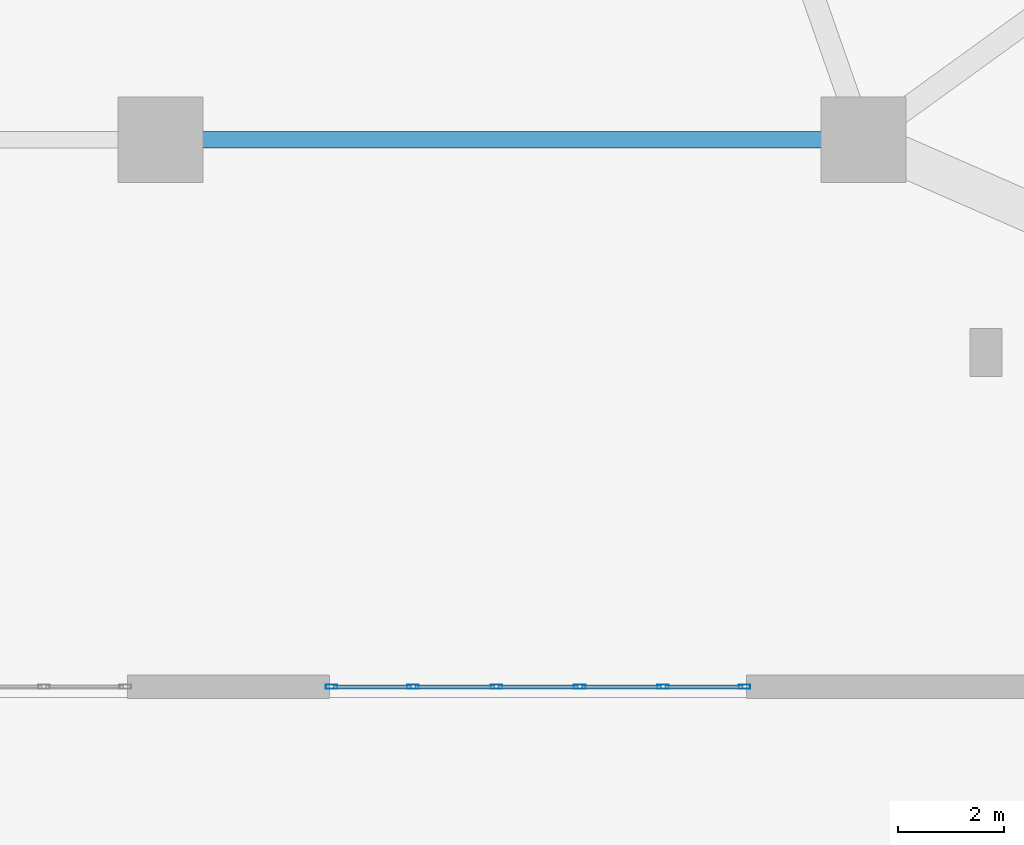
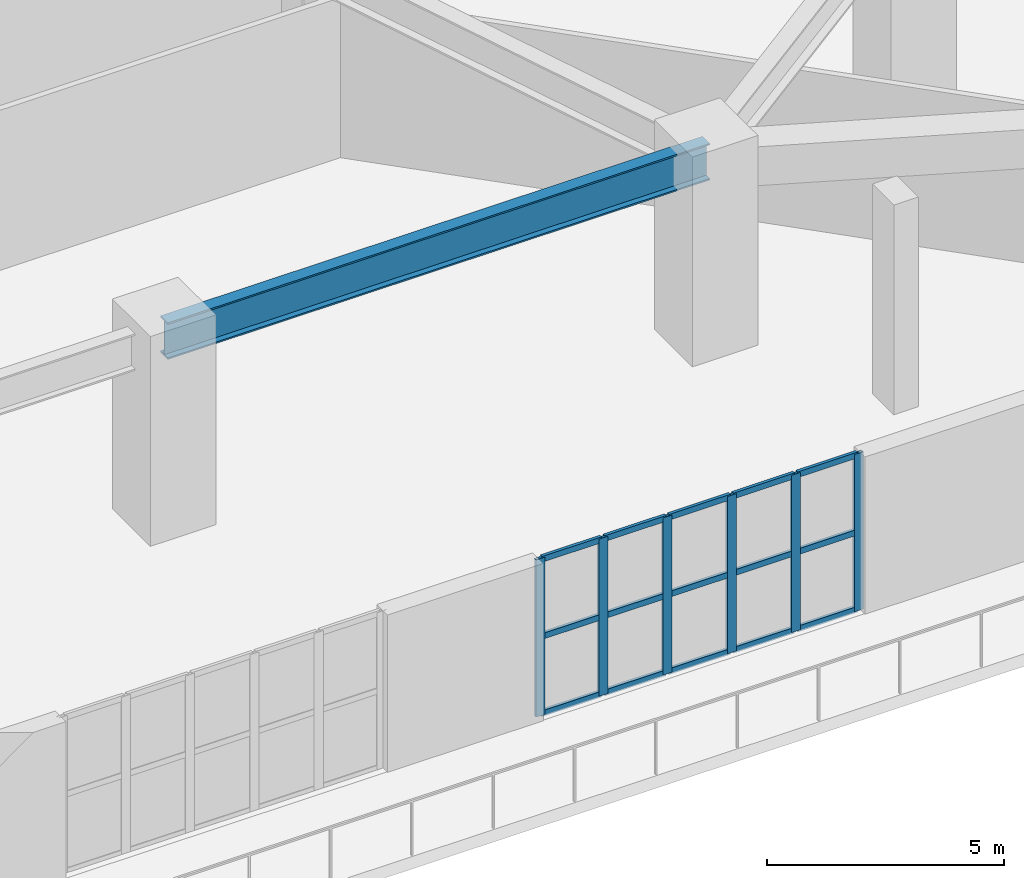
# One storey, part 7 of 34: 21 members, 1 beam, 1 element without a shape of its own.
"""IFC4 building model written with IfcOpenShell, lengths in metres."""

from ifc_helpers import new_model, si_unit, direction, frame, origin, origin_2d, place, context, subcontext, project, spatial, hollow_rectangle, i_section, extrude, material, layer, layer_set, material_profile, profile_set, type_object, element, aggregate, save


model = new_model("IFC4")

# Units and contexts
model_context = context("Model", 3, precision=1e-05, world=origin(), true_north=direction((0.0, 1.0)))
body_context = subcontext(model_context, "Body", "Model", "MODEL_VIEW")
ifc_project = project(units=[si_unit("LENGTHUNIT", "METRE"), si_unit("AREAUNIT", "SQUARE_METRE"), si_unit("VOLUMEUNIT", "CUBIC_METRE"), si_unit("PLANEANGLEUNIT", "RADIAN"), si_unit("MASSUNIT", "GRAM", prefix="KILO")], contexts=[model_context])

# Site, building, storey
site_placement = place(None, origin())
site = spatial("IfcSite", under=ifc_project, at=site_placement, CompositionType="ELEMENT")
building_placement = place(site_placement, origin())
building = spatial("IfcBuilding", under=site, at=building_placement, Name="Kilnhurst Terrace Hotel", CompositionType="ELEMENT")
storey_placement = place(building_placement, frame((0.0, 0.0, 6.0)))
storey = spatial("IfcBuildingStorey", under=building, at=storey_placement, Name="L01", CompositionType="ELEMENT", Elevation=6.0)

# Beam
ifc_material_1 = material(Name="Steel ASTM A992 Grade 50", Category="steel")
ifc_material_profile_1 = material_profile(ifc_material_1, i_section(OverallWidth=0.307861328125, OverallDepth=0.94287109375, WebThickness=0.022216796875, FlangeThickness=0.039794921875, at=origin_2d()), Name="W36X232")
ifc_profile_set_1 = profile_set([ifc_material_profile_1], Name="Steel ASTM A992 Grade 50")
beam_type = type_object("IfcBeamType", Name="BM-STL-W36X232", PredefinedType="BEAM", material=ifc_profile_set_1)
beam_placement = place(storey_placement, frame((0.0, -19.5, 4.610107421875), z_axis=(1.0, 0.0, 0.0), x_axis=(0.0, 1.0, 0.0)))
element("IfcBeam", 1, at=beam_placement, inside=storey, type_object=beam_type, Name="L01 Sub-Ballroom Girder 2", PredefinedType="BEAM", context=body_context, shape_type="SweptSolid", body=[
    extrude(i_section(OverallWidth=0.307861328125, OverallDepth=0.94287109375, WebThickness=0.022216796875, FlangeThickness=0.039794921875, at=origin_2d()), origin(), (0.0, 0.0, 1.0), 13.199951171875),
])

# Curtain wall, members
ifc_material_2 = material(Name="Anodized Aluminium Alloy 6063-T6 and Low-E Glass", Category="aluminium")
ifc_layer = layer(ifc_material_2, 0.219970703125, Name="Anodized Aluminium Alloy 6063-T6 and Low-E Glass")
ifc_layer_set = layer_set([ifc_layer], Name="Anodized Aluminium Alloy 6063-T6 and Low-E Glass")
curtain_wall_type = type_object("IfcCurtainWallType", Name="CW-POD-LOBBY", PredefinedType="NOTDEFINED", material=ifc_layer_set)
curtain_wall_placement = place(storey_placement, origin())
curtain_wall = element("IfcCurtainWall", 2, at=curtain_wall_placement, inside=storey, type_object=curtain_wall_type, Name="L01 Curtain Wall CW-L01-F1-2", PredefinedType="NOTDEFINED")
ifc_material_3 = material(Name="Extruded Aluminium Alloy 6063-T6", Category="aluminium")
ifc_material_profile_2 = material_profile(ifc_material_3, hollow_rectangle(XDim=0.074951171875, YDim=0.219970703125, WallThickness=0.00390625, at=origin_2d()), Name="CWM75X220")
ifc_profile_set_2 = profile_set([ifc_material_profile_2], Name="Extruded Aluminium Alloy 6063-T6")
member_type_1 = type_object("IfcMemberType", Name="MEM-CWM75X220", PredefinedType="MULLION", material=ifc_profile_set_2)
member_1_placement = place(storey_placement, frame((3.212646484375, -29.77490234375, 0.0), z_axis=(0.0, 0.0, 1.0), x_axis=(0.0, 1.0, 0.0)))
member_1 = element("IfcMember", 3, at=member_1_placement, type_object=member_type_1, Name="CWL-1 mullion 1", PredefinedType="MULLION", context=body_context, shape_type="SweptSolid", body=[
    extrude(hollow_rectangle(XDim=0.074951171875, YDim=0.219970703125, WallThickness=0.00390625, at=origin_2d()), origin(), (0.0, 0.0, 1.0), 4.050048828125),
])
member_2_placement = place(storey_placement, frame((4.740966796875, -29.77490234375, 0.0), z_axis=(0.0, 0.0, 1.0), x_axis=(0.0, 1.0, 0.0)))
member_2 = element("IfcMember", 4, at=member_2_placement, type_object=member_type_1, Name="CWL-1 mullion 2", PredefinedType="MULLION", context=body_context, shape_type="SweptSolid", body=[
    extrude(hollow_rectangle(XDim=0.074951171875, YDim=0.219970703125, WallThickness=0.00390625, at=origin_2d()), origin(), (0.0, 0.0, 1.0), 4.050048828125),
])
member_3_placement = place(storey_placement, frame((6.306640625, -29.77490234375, 0.0), z_axis=(0.0, 0.0, 1.0), x_axis=(0.0, 1.0, 0.0)))
member_3 = element("IfcMember", 5, at=member_3_placement, type_object=member_type_1, Name="CWL-1 mullion 3", PredefinedType="MULLION", context=body_context, shape_type="SweptSolid", body=[
    extrude(hollow_rectangle(XDim=0.074951171875, YDim=0.219970703125, WallThickness=0.00390625, at=origin_2d()), origin(), (0.0, 0.0, 1.0), 4.050048828125),
])
member_4_placement = place(storey_placement, frame((7.87255859375, -29.77490234375, 0.0), z_axis=(0.0, 0.0, 1.0), x_axis=(0.0, 1.0, 0.0)))
member_4 = element("IfcMember", 6, at=member_4_placement, type_object=member_type_1, Name="CWL-1 mullion 4", PredefinedType="MULLION", context=body_context, shape_type="SweptSolid", body=[
    extrude(hollow_rectangle(XDim=0.074951171875, YDim=0.219970703125, WallThickness=0.00390625, at=origin_2d()), origin(), (0.0, 0.0, 1.0), 4.050048828125),
])
member_5_placement = place(storey_placement, frame((9.438232421875, -29.77490234375, 0.0), z_axis=(0.0, 0.0, 1.0), x_axis=(0.0, 1.0, 0.0)))
member_5 = element("IfcMember", 7, at=member_5_placement, type_object=member_type_1, Name="CWL-1 mullion 5", PredefinedType="MULLION", context=body_context, shape_type="SweptSolid", body=[
    extrude(hollow_rectangle(XDim=0.074951171875, YDim=0.219970703125, WallThickness=0.00390625, at=origin_2d()), origin(), (0.0, 0.0, 1.0), 4.050048828125),
])
member_6_placement = place(storey_placement, frame((10.966552734375, -29.77490234375, 0.0), z_axis=(0.0, 0.0, 1.0), x_axis=(0.0, 1.0, 0.0)))
member_6 = element("IfcMember", 8, at=member_6_placement, type_object=member_type_1, Name="CWL-1 mullion 6", PredefinedType="MULLION", context=body_context, shape_type="SweptSolid", body=[
    extrude(hollow_rectangle(XDim=0.074951171875, YDim=0.219970703125, WallThickness=0.00390625, at=origin_2d()), origin(), (0.0, 0.0, 1.0), 4.050048828125),
])
ifc_material_profile_3 = material_profile(ifc_material_3, hollow_rectangle(XDim=0.074951171875, YDim=0.14990234375, WallThickness=0.00390625, at=origin_2d()), Name="CWT75X150")
ifc_profile_set_3 = profile_set([ifc_material_profile_3], Name="Extruded Aluminium Alloy 6063-T6")
member_type_2 = type_object("IfcMemberType", Name="MEM-CWT75X150", PredefinedType="USERDEFINED", material=ifc_profile_set_3)
member_7_placement = place(storey_placement, frame((3.25, -29.77490234375, 0.03759765625), z_axis=(1.0, 0.0, 0.0), x_axis=(0.0, 1.0, 0.0)))
member_7 = element("IfcMember", 9, at=member_7_placement, type_object=member_type_2, Name="CWL-1 transom 1.1", ObjectType="TRANSOM", PredefinedType="USERDEFINED", context=body_context, shape_type="SweptSolid", body=[
    extrude(hollow_rectangle(XDim=0.074951171875, YDim=0.14990234375, WallThickness=0.00390625, at=origin_2d()), origin(), (0.0, 0.0, 1.0), 1.453369140625),
])
member_8_placement = place(storey_placement, frame((3.25, -29.77490234375, 2.02490234375), z_axis=(1.0, 0.0, 0.0), x_axis=(0.0, 1.0, 0.0)))
member_8 = element("IfcMember", 10, at=member_8_placement, type_object=member_type_2, Name="CWL-1 transom 1.2", ObjectType="TRANSOM", PredefinedType="USERDEFINED", context=body_context, shape_type="SweptSolid", body=[
    extrude(hollow_rectangle(XDim=0.074951171875, YDim=0.14990234375, WallThickness=0.00390625, at=origin_2d()), origin(), (0.0, 0.0, 1.0), 1.453369140625),
])
member_9_placement = place(storey_placement, frame((3.25, -29.77490234375, 4.012451171875), z_axis=(1.0, 0.0, 0.0), x_axis=(0.0, 1.0, 0.0)))
member_9 = element("IfcMember", 11, at=member_9_placement, type_object=member_type_2, Name="CWL-1 transom 1.3", ObjectType="TRANSOM", PredefinedType="USERDEFINED", context=body_context, shape_type="SweptSolid", body=[
    extrude(hollow_rectangle(XDim=0.074951171875, YDim=0.14990234375, WallThickness=0.00390625, at=origin_2d()), origin(), (0.0, 0.0, 1.0), 1.453369140625),
])
member_10_placement = place(storey_placement, frame((4.7783203125, -29.77490234375, 0.03759765625), z_axis=(1.0, 0.0, 0.0), x_axis=(0.0, 1.0, 0.0)))
member_10 = element("IfcMember", 12, at=member_10_placement, type_object=member_type_2, Name="CWL-1 transom 2.1", ObjectType="TRANSOM", PredefinedType="USERDEFINED", context=body_context, shape_type="SweptSolid", body=[
    extrude(hollow_rectangle(XDim=0.074951171875, YDim=0.14990234375, WallThickness=0.00390625, at=origin_2d()), origin(), (0.0, 0.0, 1.0), 1.490966796875),
])
member_11_placement = place(storey_placement, frame((4.7783203125, -29.77490234375, 2.02490234375), z_axis=(1.0, 0.0, 0.0), x_axis=(0.0, 1.0, 0.0)))
member_11 = element("IfcMember", 13, at=member_11_placement, type_object=member_type_2, Name="CWL-1 transom 2.2", ObjectType="TRANSOM", PredefinedType="USERDEFINED", context=body_context, shape_type="SweptSolid", body=[
    extrude(hollow_rectangle(XDim=0.074951171875, YDim=0.14990234375, WallThickness=0.00390625, at=origin_2d()), origin(), (0.0, 0.0, 1.0), 1.490966796875),
])
member_12_placement = place(storey_placement, frame((4.7783203125, -29.77490234375, 4.012451171875), z_axis=(1.0, 0.0, 0.0), x_axis=(0.0, 1.0, 0.0)))
member_12 = element("IfcMember", 14, at=member_12_placement, type_object=member_type_2, Name="CWL-1 transom 2.3", ObjectType="TRANSOM", PredefinedType="USERDEFINED", context=body_context, shape_type="SweptSolid", body=[
    extrude(hollow_rectangle(XDim=0.074951171875, YDim=0.14990234375, WallThickness=0.00390625, at=origin_2d()), origin(), (0.0, 0.0, 1.0), 1.490966796875),
])
member_13_placement = place(storey_placement, frame((6.34423828125, -29.77490234375, 0.03759765625), z_axis=(1.0, 0.0, 0.0), x_axis=(0.0, 1.0, 0.0)))
member_13 = element("IfcMember", 15, at=member_13_placement, type_object=member_type_2, Name="CWL-1 transom 3.1", ObjectType="TRANSOM", PredefinedType="USERDEFINED", context=body_context, shape_type="SweptSolid", body=[
    extrude(hollow_rectangle(XDim=0.074951171875, YDim=0.14990234375, WallThickness=0.00390625, at=origin_2d()), origin(), (0.0, 0.0, 1.0), 1.49072265625),
])
member_14_placement = place(storey_placement, frame((6.34423828125, -29.77490234375, 2.02490234375), z_axis=(1.0, 0.0, 0.0), x_axis=(0.0, 1.0, 0.0)))
member_14 = element("IfcMember", 16, at=member_14_placement, type_object=member_type_2, Name="CWL-1 transom 3.2", ObjectType="TRANSOM", PredefinedType="USERDEFINED", context=body_context, shape_type="SweptSolid", body=[
    extrude(hollow_rectangle(XDim=0.074951171875, YDim=0.14990234375, WallThickness=0.00390625, at=origin_2d()), origin(), (0.0, 0.0, 1.0), 1.49072265625),
])
member_15_placement = place(storey_placement, frame((6.34423828125, -29.77490234375, 4.012451171875), z_axis=(1.0, 0.0, 0.0), x_axis=(0.0, 1.0, 0.0)))
member_15 = element("IfcMember", 17, at=member_15_placement, type_object=member_type_2, Name="CWL-1 transom 3.3", ObjectType="TRANSOM", PredefinedType="USERDEFINED", context=body_context, shape_type="SweptSolid", body=[
    extrude(hollow_rectangle(XDim=0.074951171875, YDim=0.14990234375, WallThickness=0.00390625, at=origin_2d()), origin(), (0.0, 0.0, 1.0), 1.49072265625),
])
member_16_placement = place(storey_placement, frame((7.909912109375, -29.77490234375, 0.03759765625), z_axis=(1.0, 0.0, 0.0), x_axis=(0.0, 1.0, 0.0)))
member_16 = element("IfcMember", 18, at=member_16_placement, type_object=member_type_2, Name="CWL-1 transom 4.1", ObjectType="TRANSOM", PredefinedType="USERDEFINED", context=body_context, shape_type="SweptSolid", body=[
    extrude(hollow_rectangle(XDim=0.074951171875, YDim=0.14990234375, WallThickness=0.00390625, at=origin_2d()), origin(), (0.0, 0.0, 1.0), 1.490966796875),
])
member_17_placement = place(storey_placement, frame((7.909912109375, -29.77490234375, 2.02490234375), z_axis=(1.0, 0.0, 0.0), x_axis=(0.0, 1.0, 0.0)))
member_17 = element("IfcMember", 19, at=member_17_placement, type_object=member_type_2, Name="CWL-1 transom 4.2", ObjectType="TRANSOM", PredefinedType="USERDEFINED", context=body_context, shape_type="SweptSolid", body=[
    extrude(hollow_rectangle(XDim=0.074951171875, YDim=0.14990234375, WallThickness=0.00390625, at=origin_2d()), origin(), (0.0, 0.0, 1.0), 1.490966796875),
])
member_18_placement = place(storey_placement, frame((7.909912109375, -29.77490234375, 4.012451171875), z_axis=(1.0, 0.0, 0.0), x_axis=(0.0, 1.0, 0.0)))
member_18 = element("IfcMember", 20, at=member_18_placement, type_object=member_type_2, Name="CWL-1 transom 4.3", ObjectType="TRANSOM", PredefinedType="USERDEFINED", context=body_context, shape_type="SweptSolid", body=[
    extrude(hollow_rectangle(XDim=0.074951171875, YDim=0.14990234375, WallThickness=0.00390625, at=origin_2d()), origin(), (0.0, 0.0, 1.0), 1.490966796875),
])
member_19_placement = place(storey_placement, frame((9.475830078125, -29.77490234375, 0.03759765625), z_axis=(1.0, 0.0, 0.0), x_axis=(0.0, 1.0, 0.0)))
member_19 = element("IfcMember", 21, at=member_19_placement, type_object=member_type_2, Name="CWL-1 transom 5.1", ObjectType="TRANSOM", PredefinedType="USERDEFINED", context=body_context, shape_type="SweptSolid", body=[
    extrude(hollow_rectangle(XDim=0.074951171875, YDim=0.14990234375, WallThickness=0.00390625, at=origin_2d()), origin(), (0.0, 0.0, 1.0), 1.453369140625),
])
member_20_placement = place(storey_placement, frame((9.475830078125, -29.77490234375, 2.02490234375), z_axis=(1.0, 0.0, 0.0), x_axis=(0.0, 1.0, 0.0)))
member_20 = element("IfcMember", 22, at=member_20_placement, type_object=member_type_2, Name="CWL-1 transom 5.2", ObjectType="TRANSOM", PredefinedType="USERDEFINED", context=body_context, shape_type="SweptSolid", body=[
    extrude(hollow_rectangle(XDim=0.074951171875, YDim=0.14990234375, WallThickness=0.00390625, at=origin_2d()), origin(), (0.0, 0.0, 1.0), 1.453369140625),
])
member_21_placement = place(storey_placement, frame((9.475830078125, -29.77490234375, 4.012451171875), z_axis=(1.0, 0.0, 0.0), x_axis=(0.0, 1.0, 0.0)))
member_21 = element("IfcMember", 23, at=member_21_placement, type_object=member_type_2, Name="CWL-1 transom 5.3", ObjectType="TRANSOM", PredefinedType="USERDEFINED", context=body_context, shape_type="SweptSolid", body=[
    extrude(hollow_rectangle(XDim=0.074951171875, YDim=0.14990234375, WallThickness=0.00390625, at=origin_2d()), origin(), (0.0, 0.0, 1.0), 1.453369140625),
])
aggregate(curtain_wall, [member_1, member_2, member_3, member_4, member_5, member_6, member_7, member_8, member_9, member_10, member_11, member_12, member_13, member_14, member_15, member_16, member_17, member_18, member_19, member_20, member_21])

save(model, "model.ifc")
